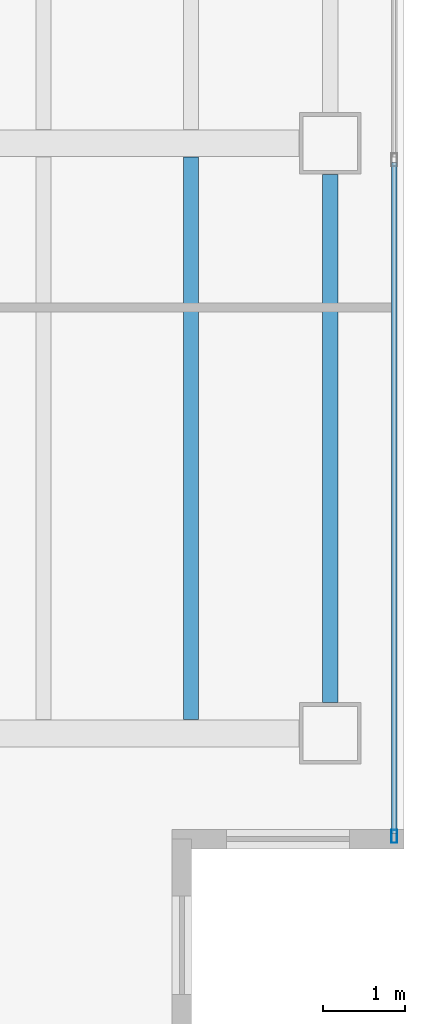
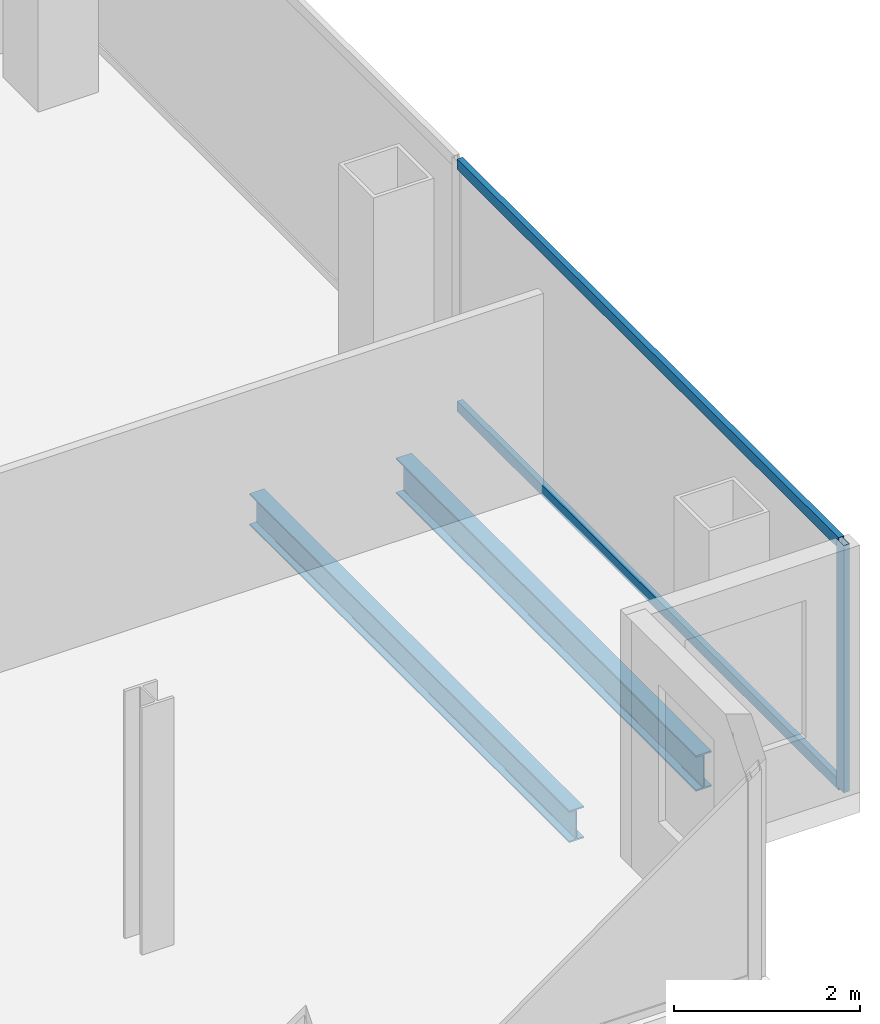
# One storey, part 12 of 23: 3 members, 2 beams, 1 element without a shape of its own.
"""IFC4 building model written with IfcOpenShell, lengths in metres."""

from ifc_helpers import new_model, si_unit, direction, frame, origin, origin_2d, place, context, subcontext, project, spatial, hollow_rectangle, i_section, extrude, material, material_profile, profile_set, type_object, element, aggregate, save


model = new_model("IFC4")

# Units and contexts
model_context = context("Model", 3, precision=1e-05, world=origin(), true_north=direction((0.0, 1.0)))
body_context = subcontext(model_context, "Body", "Model", "MODEL_VIEW")
ifc_project = project(units=[si_unit("LENGTHUNIT", "METRE"), si_unit("AREAUNIT", "SQUARE_METRE"), si_unit("VOLUMEUNIT", "CUBIC_METRE"), si_unit("PLANEANGLEUNIT", "RADIAN"), si_unit("MASSUNIT", "GRAM", prefix="KILO")], contexts=[model_context])

# Site, building, storey
site_placement = place(None, origin())
site = spatial("IfcSite", under=ifc_project, at=site_placement, CompositionType="ELEMENT")
building_placement = place(site_placement, origin())
building = spatial("IfcBuilding", under=site, at=building_placement, Name="Cobrela Telecom Tower", CompositionType="ELEMENT")
storey_placement = place(building_placement, frame((0.0, 0.0, 204.75)))
storey = spatial("IfcBuildingStorey", under=building, at=storey_placement, Name="L52", CompositionType="ELEMENT", Elevation=204.75)

# Beams
ifc_material_1 = material(Name="Steel ASTM A992 Grade 50", Category="steel")
ifc_material_profile_1 = material_profile(ifc_material_1, i_section(OverallWidth=0.179931640625, OverallDepth=0.4169921875, WebThickness=0.010986328125, FlangeThickness=0.01806640625, FilletRadius=0.011962890625, at=origin_2d()), Name="W16X57")
ifc_profile_set_1 = profile_set([ifc_material_profile_1], Name="Steel ASTM A992 Grade 50")
beam_type_1 = type_object("IfcBeamType", Name="BM-JOIST-04", PredefinedType="JOIST", material=ifc_profile_set_1)
beam_1_placement = place(storey_placement, frame((41.39990234375, 7.367431640625, -0.468505859375), z_axis=(0.0, 1.0, 0.0), x_axis=(-1.0, 0.0, 0.0)))
element("IfcBeam", 1, at=beam_1_placement, inside=storey, type_object=beam_type_1, Name="L52 Secondary Composite Floor Beam J29", PredefinedType="JOIST", context=body_context, shape_type="SweptSolid", body=[
    extrude(i_section(OverallWidth=0.179931640625, OverallDepth=0.4169921875, WebThickness=0.010986328125, FlangeThickness=0.01806640625, FilletRadius=0.011962890625, at=origin_2d()), origin(), (0.0, 0.0, 1.0), 6.864990234375),
])
ifc_material_profile_2 = material_profile(ifc_material_1, i_section(OverallWidth=0.193115234375, OverallDepth=0.467041015625, WebThickness=0.011474609375, FlangeThickness=0.01904296875, FilletRadius=0.012939453125, at=origin_2d()), Name="W18X65")
ifc_profile_set_2 = profile_set([ifc_material_profile_2], Name="Steel ASTM A992 Grade 50")
beam_type_2 = type_object("IfcBeamType", Name="BM-SPAND-05", PredefinedType="SPANDREL", material=ifc_profile_set_2)
beam_2_placement = place(storey_placement, frame((43.10009765625, 7.580078125, -0.493408203125), z_axis=(0.0, 1.0, 0.0), x_axis=(-1.0, 0.0, 0.0)))
element("IfcBeam", 2, at=beam_2_placement, inside=storey, type_object=beam_type_2, Name="L52 Perimeter Spandrel Y42", PredefinedType="SPANDREL", context=body_context, shape_type="SweptSolid", body=[
    extrude(i_section(OverallWidth=0.193115234375, OverallDepth=0.467041015625, WebThickness=0.011474609375, FlangeThickness=0.01904296875, FilletRadius=0.012939453125, at=origin_2d()), origin(), (0.0, 0.0, 1.0), 6.43994140625),
])

# Curtain wall, members
ifc_material_2 = material(Name="Anodized Bronze Aluminium 6063-T6", Category="aluminium")
curtain_wall_type = type_object("IfcCurtainWallType", Name="CW-SYS-OFF-LO", PredefinedType="USERDEFINED", material=ifc_material_2)
curtain_wall_placement = place(storey_placement, origin())
curtain_wall = element("IfcCurtainWall", 3, at=curtain_wall_placement, inside=storey, type_object=curtain_wall_type, Name="L52 Unitised Bronze Curtain Wall 14", ObjectType="UNITISED CURTAIN WALL", PredefinedType="USERDEFINED")
ifc_material_profile_3 = material_profile(ifc_material_2, hollow_rectangle(XDim=0.070068359375, YDim=0.159912109375, WallThickness=0.00390625, at=origin_2d()), Name="ALU 70x160x4")
ifc_profile_set_3 = profile_set([ifc_material_profile_3], Name="Anodized Bronze Aluminium 6063-T6")
member_type_1 = type_object("IfcMemberType", Name="CW-SYS-OFF-LO-MUL", PredefinedType="MULLION", material=ifc_profile_set_3)
member_1_placement = place(storey_placement, frame((43.8798828125, 5.945068359375, 0.0), z_axis=(0.0, 0.0, 1.0), x_axis=(1.0, 0.0, 0.0)))
member_1 = element("IfcMember", 4, at=member_1_placement, type_object=member_type_1, Name="CW-OFF-LO mullion 3", PredefinedType="MULLION", context=body_context, shape_type="SweptSolid", body=[
    extrude(hollow_rectangle(XDim=0.070068359375, YDim=0.159912109375, WallThickness=0.00390625, at=origin_2d()), origin(), (0.0, 0.0, 1.0), 3.239990234375),
])
ifc_material_profile_4 = material_profile(ifc_material_2, hollow_rectangle(XDim=0.070068359375, YDim=0.139892578125, WallThickness=0.00390625, at=origin_2d()), Name="ALU 70x140x4")
ifc_profile_set_4 = profile_set([ifc_material_profile_4], Name="Anodized Bronze Aluminium 6063-T6")
member_type_2 = type_object("IfcMemberType", Name="CW-SYS-OFF-LO-TRN", PredefinedType="USERDEFINED", material=ifc_profile_set_4)
member_2_placement = place(storey_placement, frame((43.8798828125, 14.1650390625, 0.034912109375), z_axis=(0.0, -1.0, 0.0), x_axis=(1.0, 0.0, 0.0)))
member_2 = element("IfcMember", 5, at=member_2_placement, type_object=member_type_2, Name="CW-OFF-LO transom 2.1", ObjectType="TRANSOM", PredefinedType="USERDEFINED", context=body_context, shape_type="SweptSolid", body=[
    extrude(hollow_rectangle(XDim=0.070068359375, YDim=0.139892578125, WallThickness=0.00390625, at=origin_2d()), origin(), (0.0, 0.0, 1.0), 8.18505859375),
])
member_3_placement = place(storey_placement, frame((43.8798828125, 14.1650390625, 3.205078125), z_axis=(0.0, -1.0, 0.0), x_axis=(1.0, 0.0, 0.0)))
member_3 = element("IfcMember", 6, at=member_3_placement, type_object=member_type_2, Name="CW-OFF-LO transom 2.2", ObjectType="TRANSOM", PredefinedType="USERDEFINED", context=body_context, shape_type="SweptSolid", body=[
    extrude(hollow_rectangle(XDim=0.070068359375, YDim=0.139892578125, WallThickness=0.00390625, at=origin_2d()), origin(), (0.0, 0.0, 1.0), 8.18505859375),
])
aggregate(curtain_wall, [member_1, member_2, member_3])

save(model, "model.ifc")
